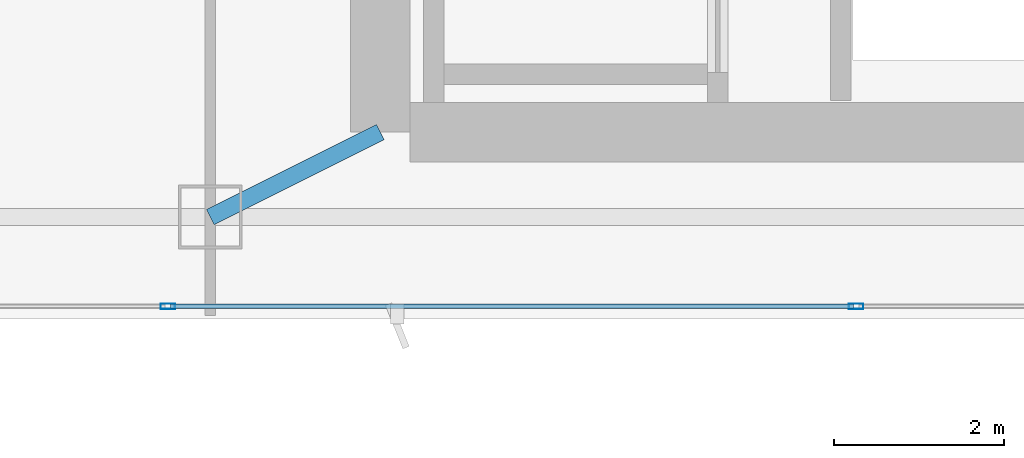
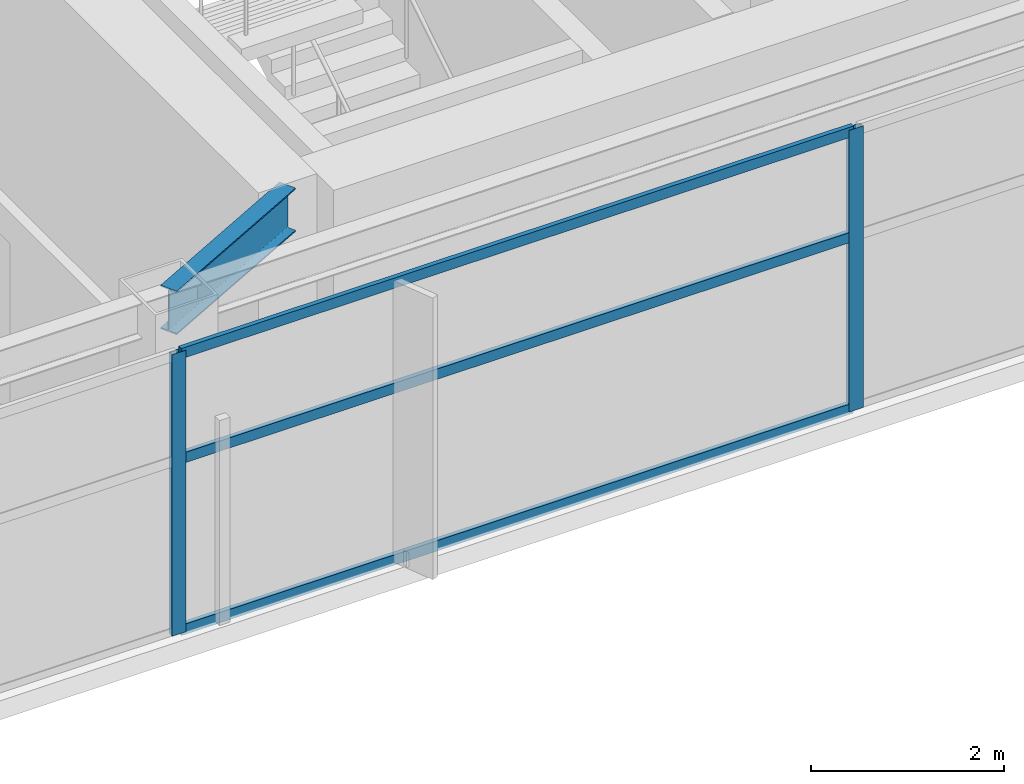
# One storey, part 7 of 29: 5 members, 1 beam, 1 element without a shape of its own.
"""IFC4 building model written with IfcOpenShell, lengths in metres."""

from ifc_helpers import new_model, si_unit, direction, frame, origin, origin_2d, place, context, subcontext, project, spatial, hollow_rectangle, i_section, extrude, material, layer, layer_set, material_profile, profile_set, type_object, element, aggregate, save


model = new_model("IFC4")

# Units and contexts
model_context = context("Model", 3, precision=1e-05, world=origin(), true_north=direction((0.0, 1.0)))
body_context = subcontext(model_context, "Body", "Model", "MODEL_VIEW")
ifc_project = project(units=[si_unit("LENGTHUNIT", "METRE"), si_unit("AREAUNIT", "SQUARE_METRE"), si_unit("VOLUMEUNIT", "CUBIC_METRE"), si_unit("PLANEANGLEUNIT", "RADIAN"), si_unit("MASSUNIT", "GRAM", prefix="KILO")], contexts=[model_context])

# Site, building, storey
site_placement = place(None, origin())
site = spatial("IfcSite", under=ifc_project, at=site_placement, CompositionType="ELEMENT")
building_placement = place(site_placement, origin())
building = spatial("IfcBuilding", under=site, at=building_placement, Name="Calvorn Quay Hotel", CompositionType="ELEMENT")
storey_placement = place(building_placement, frame((0.0, 0.0, 251.39990234375)))
storey = spatial("IfcBuildingStorey", under=building, at=storey_placement, Name="L62", CompositionType="ELEMENT", Elevation=251.39990234375)

# Beam
ifc_material_1 = material(Name="Steel Q355B", Category="steel")
ifc_material_profile_1 = material_profile(ifc_material_1, i_section(OverallWidth=0.199951171875, OverallDepth=0.550048828125, WebThickness=0.010009765625, FlangeThickness=0.01611328125, FilletRadius=0.01806640625, at=origin_2d()), Name="HN550x200x10x16")
ifc_profile_set_1 = profile_set([ifc_material_profile_1], Name="Steel Q355B")
beam_type = type_object("IfcBeamType", Name="BM-GIRD-UPP", PredefinedType="BEAM", material=ifc_profile_set_1)
beam_placement = place(storey_placement, frame((19.60009765625, 3.60009765625, 3.26513671875), z_axis=(0.894427191, 0.4472135955, 0.0), x_axis=(-0.4472135955, 0.894427191, 0.0)))
element("IfcBeam", 1, at=beam_placement, inside=storey, type_object=beam_type, Name="Beam BG-L62-S2", PredefinedType="BEAM", context=body_context, shape_type="SweptSolid", body=[
    extrude(i_section(OverallWidth=0.199951171875, OverallDepth=0.550048828125, WebThickness=0.010009765625, FlangeThickness=0.01611328125, FilletRadius=0.01806640625, at=origin_2d()), origin(), (0.0, 0.0, 1.0), 2.236083984375),
])

# Curtain wall, members
ifc_material_2 = material(Name="Champagne Bronze Anodised Aluminium and Low-E Glass", Category="aluminium")
ifc_layer = layer(ifc_material_2, 0.219970703125)
ifc_layer_set = layer_set([ifc_layer], Name="CW-SYS-Z4")
curtain_wall_type = type_object("IfcCurtainWallType", Name="CW-SYS-Z4", PredefinedType="NOTDEFINED", material=ifc_layer_set)
curtain_wall_placement = place(storey_placement, origin())
curtain_wall = element("IfcCurtainWall", 2, at=curtain_wall_placement, inside=storey, type_object=curtain_wall_type, Name="Tower South Waterfront Curtain Wall (L62)", PredefinedType="NOTDEFINED")
ifc_material_3 = material(Name="Champagne Bronze Anodised Aluminium 6063-T6", Category="aluminium")
ifc_material_profile_2 = material_profile(ifc_material_3, hollow_rectangle(XDim=0.06494140625, YDim=0.169921875, WallThickness=0.00341796875, at=origin_2d()), Name="ALU-M170x65x3.5")
ifc_profile_set_2 = profile_set([ifc_material_profile_2], Name="Champagne Bronze Anodised Aluminium 6063-T6")
member_type_1 = type_object("IfcMemberType", Name="CW-SYS-Z4-MUL", PredefinedType="MULLION", material=ifc_profile_set_2)
member_1_placement = place(storey_placement, frame((19.10009765625, 2.550048828125, 0.0), z_axis=(0.0, 0.0, 1.0), x_axis=(0.0, 1.0, 0.0)))
member_1 = element("IfcMember", 3, at=member_1_placement, type_object=member_type_1, Name="CW-L62-S mullion 2", PredefinedType="MULLION", context=body_context, shape_type="SweptSolid", body=[
    extrude(hollow_rectangle(XDim=0.06494140625, YDim=0.169921875, WallThickness=0.00341796875, at=origin_2d()), origin(), (0.0, 0.0, 1.0), 3.56005859375),
])
member_2_placement = place(storey_placement, frame((27.199951171875, 2.550048828125, 0.0), z_axis=(0.0, 0.0, 1.0), x_axis=(0.0, 1.0, 0.0)))
member_2 = element("IfcMember", 4, at=member_2_placement, type_object=member_type_1, Name="CW-L62-S mullion 3", PredefinedType="MULLION", context=body_context, shape_type="SweptSolid", body=[
    extrude(hollow_rectangle(XDim=0.06494140625, YDim=0.169921875, WallThickness=0.00341796875, at=origin_2d()), origin(), (0.0, 0.0, 1.0), 3.56005859375),
])
ifc_material_4 = material(Name="Champagne Bronze Anodised Aluminium 6063-T6", Category="aluminium")
ifc_material_profile_3 = material_profile(ifc_material_4, hollow_rectangle(XDim=0.054931640625, YDim=0.1298828125, WallThickness=0.003173828125, at=origin_2d()), Name="ALU-T130x55x3.2")
ifc_profile_set_3 = profile_set([ifc_material_profile_3], Name="Champagne Bronze Anodised Aluminium 6063-T6")
member_type_2 = type_object("IfcMemberType", Name="CW-SYS-Z4-TRN", PredefinedType="USERDEFINED", material=ifc_profile_set_3)
member_3_placement = place(storey_placement, frame((19.1298828125, 2.550048828125, 0.030029296875), z_axis=(1.0, 0.0, 0.0), x_axis=(0.0, 1.0, 0.0)))
member_3 = element("IfcMember", 5, at=member_3_placement, type_object=member_type_2, Name="CW-L62-S transom 2.1", ObjectType="TRANSOM", PredefinedType="USERDEFINED", context=body_context, shape_type="SweptSolid", body=[
    extrude(hollow_rectangle(XDim=0.054931640625, YDim=0.1298828125, WallThickness=0.003173828125, at=origin_2d()), origin(), (0.0, 0.0, 1.0), 8.0400390625),
])
member_4_placement = place(storey_placement, frame((19.1298828125, 2.550048828125, 2.2001953125), z_axis=(1.0, 0.0, 0.0), x_axis=(0.0, 1.0, 0.0)))
member_4 = element("IfcMember", 6, at=member_4_placement, type_object=member_type_2, Name="CW-L62-S transom 2.2", ObjectType="TRANSOM", PredefinedType="USERDEFINED", context=body_context, shape_type="SweptSolid", body=[
    extrude(hollow_rectangle(XDim=0.054931640625, YDim=0.1298828125, WallThickness=0.003173828125, at=origin_2d()), origin(), (0.0, 0.0, 1.0), 8.0400390625),
])
member_5_placement = place(storey_placement, frame((19.1298828125, 2.550048828125, 3.530029296875), z_axis=(1.0, 0.0, 0.0), x_axis=(0.0, 1.0, 0.0)))
member_5 = element("IfcMember", 7, at=member_5_placement, type_object=member_type_2, Name="CW-L62-S transom 2.3", ObjectType="TRANSOM", PredefinedType="USERDEFINED", context=body_context, shape_type="SweptSolid", body=[
    extrude(hollow_rectangle(XDim=0.054931640625, YDim=0.1298828125, WallThickness=0.003173828125, at=origin_2d()), origin(), (0.0, 0.0, 1.0), 8.0400390625),
])
aggregate(curtain_wall, [member_1, member_2, member_3, member_4, member_5])

save(model, "model.ifc")
